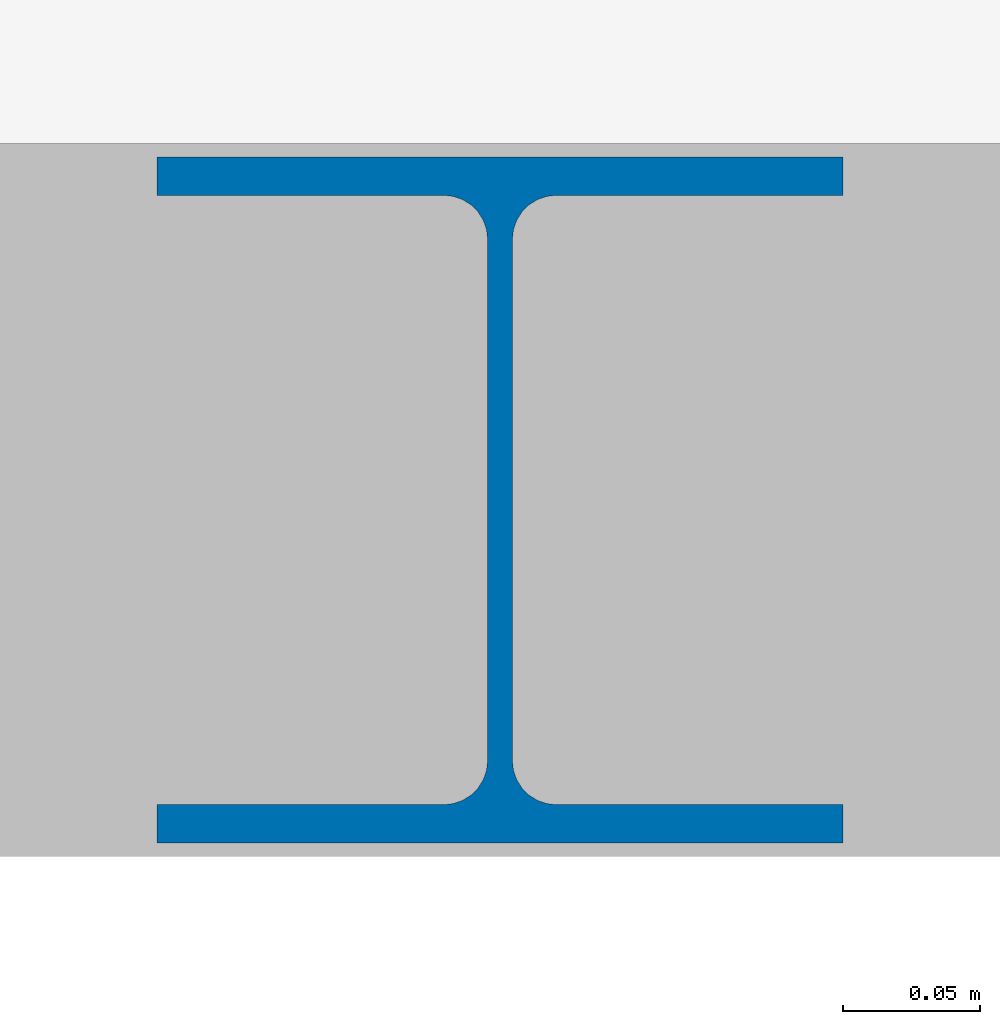
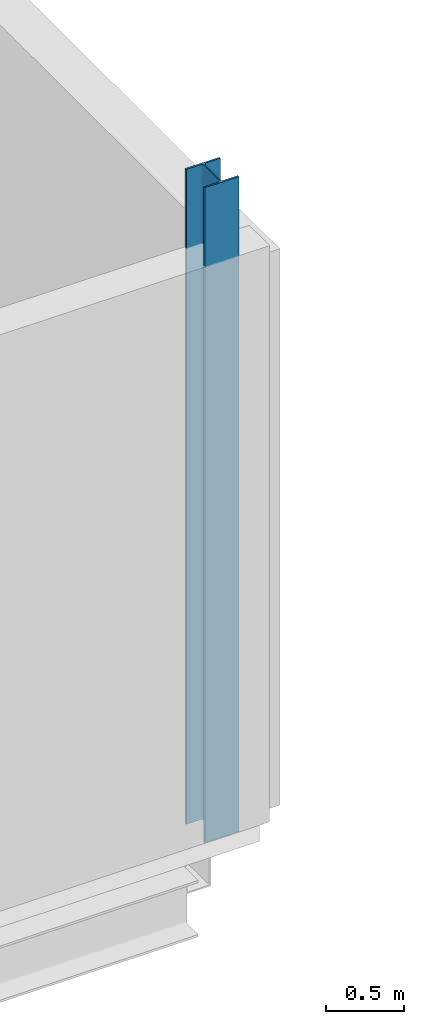
# One storey, part 2 of 91: 1 column.
"""IFC4 building model written with IfcOpenShell, lengths in metres."""

from ifc_helpers import new_model, si_unit, direction, frame, origin, origin_2d, place, context, subcontext, project, spatial, i_section, extrude, material, material_profile, profile_set, type_object, element, save


model = new_model("IFC4")

# Units and contexts
model_context = context("Model", 3, precision=1e-05, world=origin(), true_north=direction((0.0, 1.0)))
body_context = subcontext(model_context, "Body", "Model", "MODEL_VIEW")
ifc_project = project(units=[si_unit("LENGTHUNIT", "METRE"), si_unit("AREAUNIT", "SQUARE_METRE"), si_unit("VOLUMEUNIT", "CUBIC_METRE"), si_unit("PLANEANGLEUNIT", "RADIAN"), si_unit("MASSUNIT", "GRAM", prefix="KILO"), si_unit("THERMODYNAMICTEMPERATUREUNIT", "KELVIN")], contexts=[model_context])

# Site, building, storey
site_placement = place(None, origin())
site = spatial("IfcSite", under=ifc_project, at=site_placement, CompositionType="ELEMENT")
building_placement = place(site_placement, origin())
building = spatial("IfcBuilding", under=site, at=building_placement, Name="Lustrewick Department Store", CompositionType="ELEMENT")
storey_placement = place(building_placement, frame((0.0, 0.0, 21.60009765625)))
storey = spatial("IfcBuildingStorey", under=building, at=storey_placement, Name="L05", CompositionType="ELEMENT", Elevation=21.60009765625)

# Column
ifc_material = material(Name="Structural steel Q355B", Category="steel")
ifc_material_profile = material_profile(ifc_material, i_section(OverallWidth=0.25, OverallDepth=0.25, WebThickness=0.009033203125, FlangeThickness=0.013916015625, FilletRadius=0.01611328125, at=origin_2d()), Name="HW 250x250x9x14")
ifc_profile_set = profile_set([ifc_material_profile], Name="Structural steel Q355B")
column_type = type_object("IfcColumnType", Name="CE08", PredefinedType="COLUMN", material=ifc_profile_set)
column_placement = place(storey_placement, frame((58.300048828125, 42.0, 0.0), z_axis=(0.0, 0.0, 1.0), x_axis=(1.0, 0.0, 0.0)))
element("IfcColumn", 1, at=column_placement, inside=storey, type_object=column_type, Name="L05 V1 Column CE08", PredefinedType="COLUMN", context=body_context, shape_type="SweptSolid", body=[
    extrude(i_section(OverallWidth=0.25, OverallDepth=0.25, WebThickness=0.009033203125, FlangeThickness=0.013916015625, FilletRadius=0.01611328125, at=origin_2d()), origin(), (0.0, 0.0, 1.0), 5.099853515625),
])

save(model, "model.ifc")
